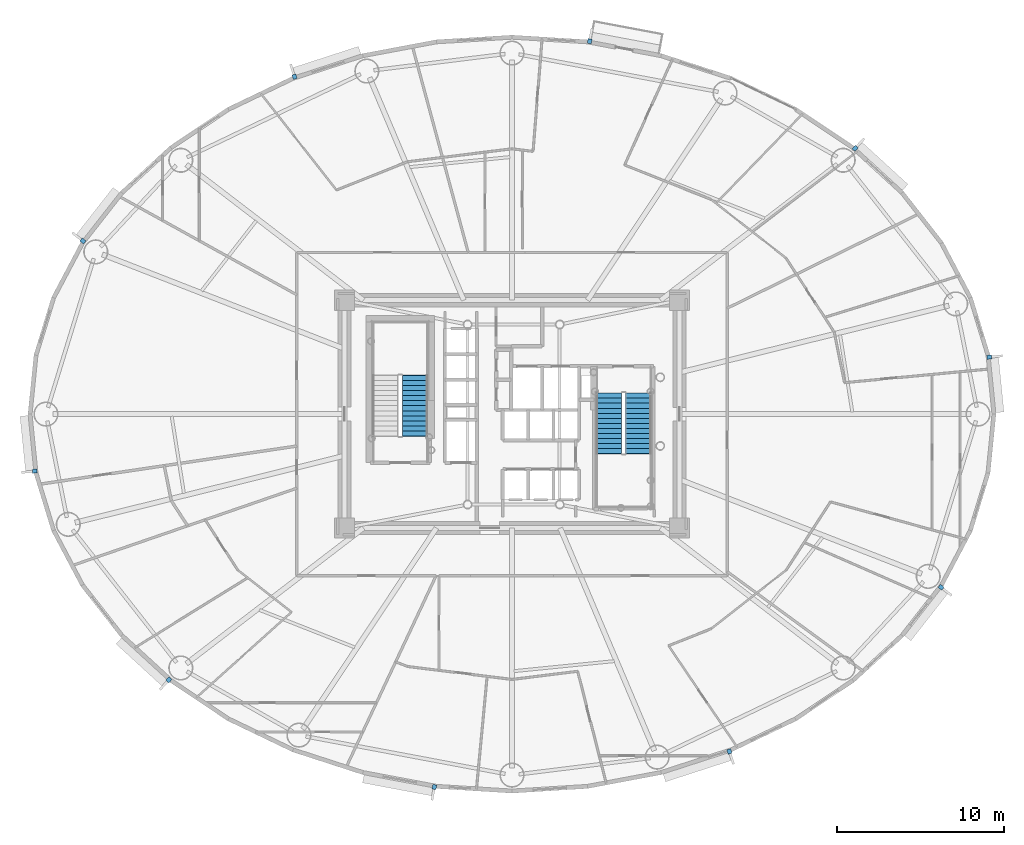
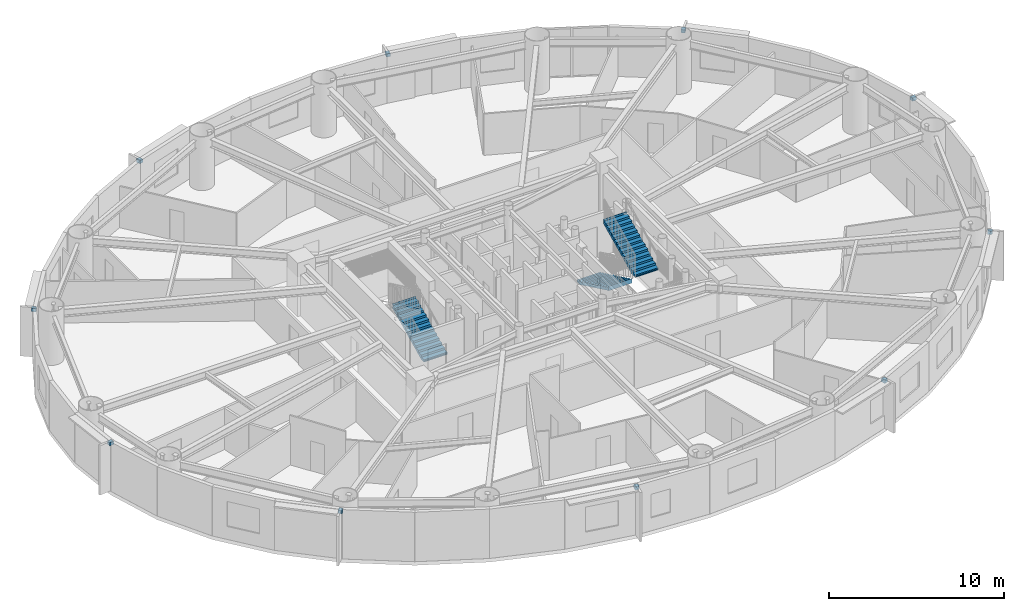
# One storey, part 12 of 17: 10 discrete accessories, 3 stair flights, 2 elements without a shape of their own.
"""IFC4 building model written with IfcOpenShell, lengths in metres."""

from ifc_helpers import new_model, si_unit, direction, frame, origin, origin_2d, place, context, subcontext, project, spatial, polyline, rectangle, outline, extrude, source, transform, mapped, material, type_object, element, aggregate, save


model = new_model("IFC4")

# Units and contexts
model_context = context("Model", 3, precision=1e-05, world=origin(), true_north=direction((0.0, 1.0)))
body_context = subcontext(model_context, "Body", "Model", "MODEL_VIEW")
ifc_project = project(units=[si_unit("LENGTHUNIT", "METRE"), si_unit("AREAUNIT", "SQUARE_METRE"), si_unit("VOLUMEUNIT", "CUBIC_METRE"), si_unit("PLANEANGLEUNIT", "RADIAN"), si_unit("MASSUNIT", "GRAM", prefix="KILO")], contexts=[model_context])

# Site, building, storey
site_placement = place(None, origin())
site = spatial("IfcSite", under=ifc_project, at=site_placement, CompositionType="ELEMENT")
building_placement = place(site_placement, origin())
building = spatial("IfcBuilding", under=site, at=building_placement, Name="Linh Dai School and Residence Tower", CompositionType="ELEMENT")
storey_placement = place(building_placement, frame((0.0, 0.0, 142.199951171875)))
storey = spatial("IfcBuildingStorey", under=building, at=storey_placement, Name="L34", CompositionType="ELEMENT", Elevation=142.199951171875)

# Stair, stair flight
ifc_material_1 = material(Name="Concrete B45 (C35/45)", Category="concrete")
stair_type = type_object("IfcStairType", Name="ST-DOG-1550-R1442", PredefinedType="HALF_TURN_STAIR", material=ifc_material_1)
stair_1_placement = place(storey_placement, origin())
stair_1 = element("IfcStair", 1, at=stair_1_placement, inside=storey, type_object=stair_type, Name="L34 Core Smokeproof Exit Stair ST1", PredefinedType="HALF_TURN_STAIR")
stair_flight_type = type_object("IfcStairFlightType", Name="STF-STR-1550-R1442", PredefinedType="STRAIGHT", material=ifc_material_1)
shared_shape_1 = source(origin(), body_context, "Body", "SweptSolid", [
    extrude(outline(polyline([(-0.02490234375, 0.0), (-0.02490234375, 0.06005859375), (0.0, 0.06005859375), (0.0, 0.144287109375), (0.300048828125, 0.144287109375), (0.300048828125, 0.28857421875), (0.60009765625, 0.28857421875), (0.60009765625, 0.4326171875), (0.89990234375, 0.4326171875), (0.89990234375, 0.576904296875), (1.199951171875, 0.576904296875), (1.199951171875, 0.72119140625), (1.5, 0.72119140625), (1.5, 0.865478515625), (1.800048828125, 0.865478515625), (1.800048828125, 1.009521484375), (2.10009765625, 1.009521484375), (2.10009765625, 1.15380859375), (2.39990234375, 1.15380859375), (2.39990234375, 1.298095703125), (2.699951171875, 1.298095703125), (2.699951171875, 1.4423828125), (3.0, 1.4423828125), (3.0, 1.58642578125), (3.300048828125, 1.58642578125), (3.300048828125, 1.730712890625), (3.60009765625, 1.730712890625), (3.60009765625, 1.875), (3.625, 1.875), (3.625, 1.564453125), (3.60009765625, 1.564453125), (0.345947265625, 0.0), (-0.02490234375, 0.0)])), frame((0.0, 0.77490234375, 0.0), z_axis=(0.0, -1.0, 0.0), x_axis=(1.0, 0.0, 0.0)), (0.0, 0.0, 1.0), 1.550048828125),
])
stair_flight_1_placement = place(storey_placement, frame((30.205078125, 25.699951171875, 0.0), z_axis=(0.0, 0.0, 1.0), x_axis=(0.0, 1.0, 0.0)))
stair_flight_1 = element("IfcStairFlight", 2, at=stair_flight_1_placement, type_object=stair_flight_type, Name="ST1 flight 1", NumberOfRisers=13, NumberOfTreads=12, PredefinedType="STRAIGHT", RiserHeight=0.144230769, TreadLength=0.3, context=body_context, shape_type="MappedRepresentation", body=[
    mapped(shared_shape_1, transform((0.0, 0.0, 0.0), x_axis=(1.0, 0.0, 0.0), y_axis=(0.0, 1.0, 0.0), z_axis=(0.0, 0.0, 1.0), scale=1.0)),
])
aggregate(stair_1, [stair_flight_1])

# Stair, stair flights
stair_2_placement = place(storey_placement, origin())
stair_2 = element("IfcStair", 3, at=stair_2_placement, inside=storey, type_object=stair_type, Name="L34 Core Smokeproof Exit Stair ST2", PredefinedType="HALF_TURN_STAIR")
stair_flight_2_placement = place(storey_placement, frame((41.794921875, 28.25, 0.0), z_axis=(0.0, 0.0, 1.0), x_axis=(0.0, -1.0, 0.0)))
stair_flight_2 = element("IfcStairFlight", 4, at=stair_flight_2_placement, type_object=stair_flight_type, Name="ST2 flight 1", NumberOfRisers=13, NumberOfTreads=12, PredefinedType="STRAIGHT", RiserHeight=0.144230769, TreadLength=0.3, context=body_context, shape_type="MappedRepresentation", body=[
    mapped(shared_shape_1, transform((0.0, 0.0, 0.0), x_axis=(1.0, 0.0, 0.0), y_axis=(0.0, 1.0, 0.0), z_axis=(0.0, 0.0, 1.0), scale=1.0)),
])
stair_flight_3_placement = place(storey_placement, frame((43.544921875, 24.64990234375, 1.875), z_axis=(0.0, 0.0, 1.0), x_axis=(0.0, 1.0, 0.0)))
stair_flight_3 = element("IfcStairFlight", 5, at=stair_flight_3_placement, type_object=stair_flight_type, Name="ST2 flight 2", NumberOfRisers=13, NumberOfTreads=12, PredefinedType="STRAIGHT", RiserHeight=0.144230769, TreadLength=0.3, context=body_context, shape_type="MappedRepresentation", body=[
    mapped(shared_shape_1, transform((0.0, 0.0, 0.0), x_axis=(1.0, 0.0, 0.0), y_axis=(0.0, 1.0, 0.0), z_axis=(0.0, 0.0, 1.0), scale=1.0)),
])
aggregate(stair_2, [stair_flight_2, stair_flight_3])

# Discrete accessories
ifc_material_2 = material(Name="Structural Steel S355JR", Category="steel")
discrete_accessory_type = type_object("IfcDiscreteAccessoryType", Name="ACC-BRK-S355", PredefinedType="BRACKET", material=ifc_material_2)
shared_shape_2 = source(origin(), body_context, "Body", "SweptSolid", [
    extrude(rectangle(XDim=0.280029296875, YDim=0.239990234375, at=origin_2d()), origin(), (0.0, 0.0, 1.0), 0.219970703125),
])
for number, where, z_axis, x_axis, name in (
    (6, (64.493408203125, 30.40185546875, 3.2001953125), (0.0, 0.0, 1.0), (0.994986703684, 0.100007297192, 0.0), "L34 Facade Frame Anchor Bracket 01"),
    (7, (56.4873046875, 42.866455078125, 3.2001953125), (0.0, 0.0, 1.0), (0.675783395482, 0.737100266172, 0.0), "L34 Facade Frame Anchor Bracket 05"),
    (8, (40.634521484375, 49.26416015625, 3.2001953125), (0.0, 0.0, 1.0), (0.18475466193, 0.982784673718, 0.0), "L34 Facade Frame Anchor Bracket 09"),
    (9, (23.021728515625, 47.1416015625, 3.2001953125), (0.0, 0.0, 1.0), (-0.308522363457, 0.951217089442, 0.0), "L34 Facade Frame Anchor Bracket 13"),
    (10, (10.38134765625, 37.337158203125, 3.2001953125), (0.0, 0.0, 1.0), (-0.787507539838, 0.616305017583, 0.0), "L34 Facade Frame Anchor Bracket 17"),
    (11, (7.506591796875, 23.59814453125, 3.2001953125), (0.0, 0.0, 1.0), (-0.994986703684, -0.100007297192, 0.0), "L34 Facade Frame Anchor Bracket 21"),
    (12, (15.5126953125, 11.133544921875, 3.2001953125), (0.0, 0.0, 1.0), (-0.675783395482, -0.737100266172, 0.0), "L34 Facade Frame Anchor Bracket 25"),
    (13, (31.365478515625, 4.73583984375, 3.2001953125), (0.0, 0.0, 1.0), (-0.18475466193, -0.982784673718, 0.0), "L34 Facade Frame Anchor Bracket 29"),
    (14, (48.978271484375, 6.8583984375, 3.2001953125), (0.0, 0.0, 1.0), (0.308522363457, -0.951217089442, 0.0), "L34 Facade Frame Anchor Bracket 33"),
    (15, (61.61865234375, 16.662841796875, 3.2001953125), (0.0, 0.0, 1.0), (0.787507539838, -0.616305017583, 0.0), "L34 Facade Frame Anchor Bracket 37"),
):
    element("IfcDiscreteAccessory", number, at=place(storey_placement, frame(where, z_axis=z_axis, x_axis=x_axis)), inside=storey, type_object=discrete_accessory_type, Name=name, PredefinedType="BRACKET", context=body_context, shape_type="MappedRepresentation", body=[
        mapped(shared_shape_2, transform((0.0, 0.0, 0.0), x_axis=(1.0, 0.0, 0.0), y_axis=(0.0, 1.0, 0.0), z_axis=(0.0, 0.0, 1.0), scale=1.0)),
    ])

save(model, "model.ifc")
